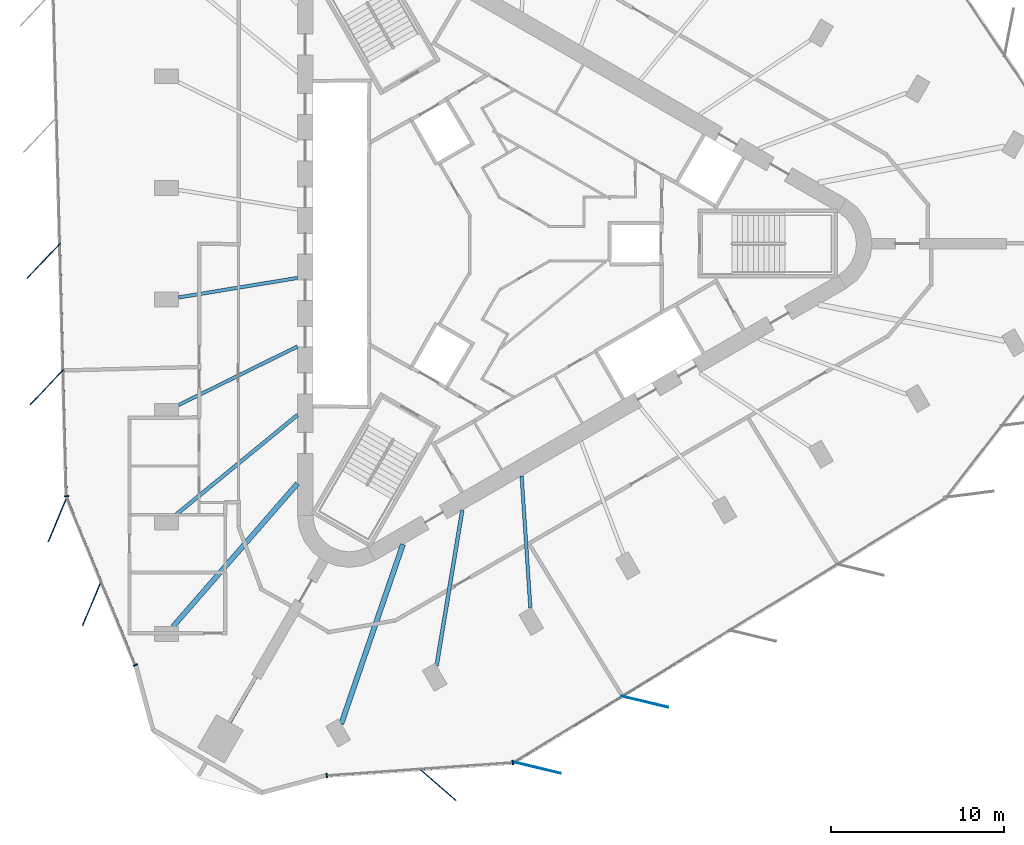
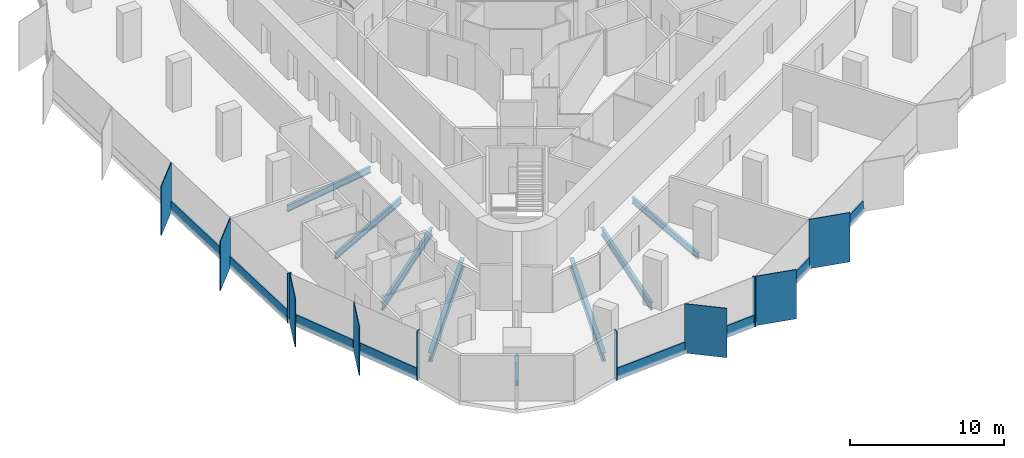
# One storey, part 2 of 12: 19 members, 8 beams, 4 elements without a shape of their own.
"""IFC4 building model written with IfcOpenShell, lengths in metres."""

from ifc_helpers import new_model, si_unit, direction, frame, origin, origin_2d, place, context, subcontext, project, spatial, rectangle, i_section, extrude, material, material_profile, profile_set, type_object, element, aggregate, save


model = new_model("IFC4")

# Units and contexts
model_context = context("Model", 3, precision=1e-05, world=origin(), true_north=direction((0.0, 1.0)))
body_context = subcontext(model_context, "Body", "Model", "MODEL_VIEW")
ifc_project = project(units=[si_unit("LENGTHUNIT", "METRE"), si_unit("AREAUNIT", "SQUARE_METRE"), si_unit("VOLUMEUNIT", "CUBIC_METRE"), si_unit("PLANEANGLEUNIT", "RADIAN"), si_unit("MASSUNIT", "GRAM", prefix="KILO")], contexts=[model_context])

# Site, building, storey
site_placement = place(None, origin())
site = spatial("IfcSite", under=ifc_project, at=site_placement, CompositionType="ELEMENT")
building_placement = place(site_placement, origin())
building = spatial("IfcBuilding", under=site, at=building_placement, Name="Tanit Gate Tower", CompositionType="ELEMENT")
storey_placement = place(building_placement, frame((0.0, 0.0, 349.39990234375)))
storey = spatial("IfcBuildingStorey", under=building, at=storey_placement, Name="L79", CompositionType="ELEMENT", Elevation=349.39990234375)

# Curtain wall, members
ifc_material_1 = material(Name="Aluminium bronze anodised and glass", Category="aluminium")
curtain_wall_type = type_object("IfcCurtainWallType", Name="Curtain wall typical high", PredefinedType="NOTDEFINED", material=ifc_material_1)
curtain_wall_1_placement = place(storey_placement, origin())
curtain_wall_1 = element("IfcCurtainWall", 1, at=curtain_wall_1_placement, inside=storey, type_object=curtain_wall_type, Name="Curtain wall L79 W2", PredefinedType="NOTDEFINED")
ifc_material_2 = material(Name="Aluminium bronze anodised", Category="aluminium")
ifc_material_profile_1 = material_profile(ifc_material_2, rectangle(XDim=2.800048828125, YDim=0.055908203125, at=origin_2d()), Name="56x2800 bronze fin mullion")
ifc_profile_set_1 = profile_set([ifc_material_profile_1], Name="Aluminium bronze anodised")
member_type_1 = type_object("IfcMemberType", Name="FIN MULLION 56x2800 bronze", PredefinedType="MULLION", material=ifc_profile_set_1)
member_1_placement = place(storey_placement, frame((-26.822021484375, -1.00146484375, -0.2998046875), z_axis=(0.0, 0.0, 1.0), x_axis=(0.688538110764, 0.725200158595, 0.0)))
member_1 = element("IfcMember", 2, at=member_1_placement, type_object=member_type_1, Name="Fin mullion L79 W2.3", PredefinedType="MULLION", context=body_context, shape_type="SweptSolid", body=[
    extrude(rectangle(XDim=2.800048828125, YDim=0.055908203125, at=origin_2d()), origin(), (0.0, 0.0, 1.0), 3.89990234375),
])
member_2_placement = place(storey_placement, frame((-26.63232421875, -8.31982421875, -0.2998046875), z_axis=(0.0, 0.0, 1.0), x_axis=(0.688538110764, 0.725200158595, 0.0)))
member_2 = element("IfcMember", 3, at=member_2_placement, type_object=member_type_1, Name="Fin mullion L79 W2.4", PredefinedType="MULLION", context=body_context, shape_type="SweptSolid", body=[
    extrude(rectangle(XDim=2.800048828125, YDim=0.055908203125, at=origin_2d()), origin(), (0.0, 0.0, 1.0), 3.89990234375),
])

curtain_wall_2_placement = place(storey_placement, origin())
curtain_wall_2 = element("IfcCurtainWall", 4, at=curtain_wall_2_placement, inside=storey, type_object=curtain_wall_type, Name="Curtain wall L79 W3", PredefinedType="NOTDEFINED")
member_3_placement = place(storey_placement, frame((-26.0087890625, -15.987548828125, -0.2998046875), z_axis=(0.0, 0.0, 1.0), x_axis=(0.386006838338, 0.9224959191, 0.0)))
member_3 = element("IfcMember", 5, at=member_3_placement, type_object=member_type_1, Name="Fin mullion L79 W3.1", PredefinedType="MULLION", context=body_context, shape_type="SweptSolid", body=[
    extrude(rectangle(XDim=2.800048828125, YDim=0.055908203125, at=origin_2d()), origin(), (0.0, 0.0, 1.0), 3.89990234375),
])
member_4_placement = place(storey_placement, frame((-24.017333984375, -20.844970703125, -0.2998046875), z_axis=(0.0, 0.0, 1.0), x_axis=(0.386006838338, 0.9224959191, 0.0)))
member_4 = element("IfcMember", 6, at=member_4_placement, type_object=member_type_1, Name="Fin mullion L79 W3.2", PredefinedType="MULLION", context=body_context, shape_type="SweptSolid", body=[
    extrude(rectangle(XDim=2.800048828125, YDim=0.055908203125, at=origin_2d()), origin(), (0.0, 0.0, 1.0), 3.89990234375),
])

# Curtain wall, member
curtain_wall_3_placement = place(storey_placement, origin())
curtain_wall_3 = element("IfcCurtainWall", 7, at=curtain_wall_3_placement, inside=storey, type_object=curtain_wall_type, Name="Curtain wall L79 SE1", PredefinedType="NOTDEFINED")
member_5_placement = place(storey_placement, frame((-3.97314453125, -31.3583984375, -0.2998046875), z_axis=(0.0, 0.0, 1.0), x_axis=(-0.754673667978, 0.656100339019, 0.0)))
member_5 = element("IfcMember", 8, at=member_5_placement, type_object=member_type_1, Name="Fin mullion L79 SE1.2", PredefinedType="MULLION", context=body_context, shape_type="SweptSolid", body=[
    extrude(rectangle(XDim=2.800048828125, YDim=0.055908203125, at=origin_2d()), origin(), (0.0, 0.0, 1.0), 3.89990234375),
])

# Curtain wall, members
curtain_wall_4_placement = place(storey_placement, origin())
curtain_wall_4 = element("IfcCurtainWall", 9, at=curtain_wall_4_placement, inside=storey, type_object=curtain_wall_type, Name="Curtain wall L79 SE2", PredefinedType="NOTDEFINED")
member_6_placement = place(storey_placement, frame((1.792236328125, -30.375, -0.2998046875), z_axis=(0.0, 0.0, 1.0), x_axis=(-0.972310815553, 0.233691416098, 0.0)))
member_6 = element("IfcMember", 10, at=member_6_placement, type_object=member_type_1, Name="Fin mullion L79 SE2.1", PredefinedType="MULLION", context=body_context, shape_type="SweptSolid", body=[
    extrude(rectangle(XDim=2.800048828125, YDim=0.055908203125, at=origin_2d()), origin(), (0.0, 0.0, 1.0), 3.89990234375),
])
member_7_placement = place(storey_placement, frame((8.03515625, -26.551513671875, -0.2998046875), z_axis=(0.0, 0.0, 1.0), x_axis=(-0.972310815553, 0.233691416098, 0.0)))
member_7 = element("IfcMember", 11, at=member_7_placement, type_object=member_type_1, Name="Fin mullion L79 SE2.2", PredefinedType="MULLION", context=body_context, shape_type="SweptSolid", body=[
    extrude(rectangle(XDim=2.800048828125, YDim=0.055908203125, at=origin_2d()), origin(), (0.0, 0.0, 1.0), 3.89990234375),
])

# Member
ifc_material_3 = material(Name="Aluminium bronze anodised", Category="aluminium")
ifc_material_profile_2 = material_profile(ifc_material_3, rectangle(XDim=0.280029296875, YDim=0.080078125, at=origin_2d()), Name="80x280 bronze mullion")
ifc_profile_set_2 = profile_set([ifc_material_profile_2], Name="Aluminium bronze anodised")
member_type_2 = type_object("IfcMemberType", Name="Mullion 80x280 typical high", PredefinedType="MULLION", material=ifc_profile_set_2)
member_8_placement = place(storey_placement, frame((-25.4921875, -14.637451171875, -0.2998046875), z_axis=(0.0, 0.0, 1.0), x_axis=(0.999663917086, 0.025923982634, 0.0)))
member_8 = element("IfcMember", 12, at=member_8_placement, type_object=member_type_2, Name="Mullion L79 W2.5", PredefinedType="MULLION", context=body_context, shape_type="SweptSolid", body=[
    extrude(rectangle(XDim=0.280029296875, YDim=0.080078125, at=origin_2d()), origin(), (0.0, 0.0, 1.0), 3.89990234375),
])

member_9_placement = place(storey_placement, frame((-21.492919921875, -24.4287109375, -0.2998046875), z_axis=(0.0, 0.0, 1.0), x_axis=(0.925251172986, 0.37935506704, 0.0)))
member_9 = element("IfcMember", 13, at=member_9_placement, type_object=member_type_2, Name="Mullion L79 W3.3", PredefinedType="MULLION", context=body_context, shape_type="SweptSolid", body=[
    extrude(rectangle(XDim=0.280029296875, YDim=0.080078125, at=origin_2d()), origin(), (0.0, 0.0, 1.0), 3.89990234375),
])

member_10_placement = place(storey_placement, frame((-10.405517578125, -30.829345703125, -0.2998046875), z_axis=(0.0, 0.0, 1.0), x_axis=(-0.069701869351, 0.997567867069, 0.0)))
member_10 = element("IfcMember", 14, at=member_10_placement, type_object=member_type_2, Name="Mullion L79 SE1.1", PredefinedType="MULLION", context=body_context, shape_type="SweptSolid", body=[
    extrude(rectangle(XDim=0.280029296875, YDim=0.080078125, at=origin_2d()), origin(), (0.0, 0.0, 1.0), 3.89990234375),
])

member_11_placement = place(storey_placement, frame((0.376220703125, -30.076171875, -0.2998046875), z_axis=(0.0, 0.0, 1.0), x_axis=(-0.069701869351, 0.997567867069, 0.0)))
member_11 = element("IfcMember", 15, at=member_11_placement, type_object=member_type_2, Name="Mullion L79 SE1.3", PredefinedType="MULLION", context=body_context, shape_type="SweptSolid", body=[
    extrude(rectangle(XDim=0.280029296875, YDim=0.080078125, at=origin_2d()), origin(), (0.0, 0.0, 1.0), 3.89990234375),
])

# Beams
ifc_material_4 = material(Name="Steel S355", Category="steel")
ifc_material_profile_3 = material_profile(ifc_material_4, i_section(OverallWidth=0.300048828125, OverallDepth=0.68994140625, WebThickness=0.014404296875, FlangeThickness=0.027099609375, FilletRadius=0.027099609375, at=origin_2d()), Name="HEA 700")
ifc_profile_set_3 = profile_set([ifc_material_profile_3], Name="Steel S355")
beam_type_1 = type_object("IfcBeamType", Name="RADIAL GIRDER HEA 700 S355", PredefinedType="BEAM", material=ifc_profile_set_3)
for number, where, z_axis, x_axis, name in (
    (16, (-19.322021484375, -22.198486328125, -0.64501953125), (0.656551846621, 0.754280897742, 0.0), (-0.754280897742, 0.656551846621, 0.0), "RADIAL GIRDER"),
    (17, (-9.563720703125, -27.83251953125, -0.64501953125), (0.324979251092, 0.945721146195, 0.0), (-0.945721146195, 0.324979251092, 0.0), "RADIAL GIRDER"),
):
    element("IfcBeam", number, at=place(storey_placement, frame(where, z_axis=z_axis, x_axis=x_axis)), inside=storey, type_object=beam_type_1, Name=name, PredefinedType="BEAM", context=body_context, shape_type="SweptSolid", body=[
        extrude(i_section(OverallWidth=0.300048828125, OverallDepth=0.68994140625, WebThickness=0.014404296875, FlangeThickness=0.027099609375, FilletRadius=0.027099609375, at=origin_2d()), origin(), (0.0, 0.0, 1.0), 10.996826171875),
    ])
ifc_material_5 = material(Name="Steel S355", Category="steel")
ifc_material_profile_4 = material_profile(ifc_material_5, i_section(OverallWidth=0.179931640625, OverallDepth=0.39990234375, WebThickness=0.008544921875, FlangeThickness=0.013427734375, FilletRadius=0.02099609375, at=origin_2d()), Name="IPE 400")
ifc_profile_set_4 = profile_set([ifc_material_profile_4], Name="Steel S355")
beam_type_2 = type_object("IfcBeamType", Name="RADIAL GIRDER IPE 400 S355", PredefinedType="BEAM", material=ifc_profile_set_4)
beam_1_placement = place(storey_placement, frame((-16.019775390625, -27.746826171875, -0.5), z_axis=(0.500014901547, 0.866016800201, 0.0), x_axis=(-0.866016800201, 0.500014901547, 0.0)))
element("IfcBeam", 18, at=beam_1_placement, inside=storey, type_object=beam_type_2, Name="RADIAL GIRDER", PredefinedType="BEAM", context=body_context, shape_type="SweptSolid", body=[
    extrude(i_section(OverallWidth=0.179931640625, OverallDepth=0.39990234375, WebThickness=0.008544921875, FlangeThickness=0.013427734375, FilletRadius=0.02099609375, at=origin_2d()), origin(), (0.0, 0.0, 1.0), 3.03515625),
])
ifc_material_6 = material(Name="Steel S355", Category="steel")
ifc_material_profile_5 = material_profile(ifc_material_6, i_section(OverallWidth=0.199951171875, OverallDepth=0.5, WebThickness=0.01025390625, FlangeThickness=0.01611328125, FilletRadius=0.02099609375, at=origin_2d()), Name="IPE 500")
ifc_profile_set_5 = profile_set([ifc_material_profile_5], Name="Steel S355")
beam_type_3 = type_object("IfcBeamType", Name="RADIAL GIRDER IPE 500 S355", PredefinedType="BEAM", material=ifc_profile_set_5)
beam_2_placement = place(storey_placement, frame((-18.99169921875, -3.116943359375, -0.5498046875), z_axis=(0.986795432202, 0.161971525229, 0.0), x_axis=(-0.161971525229, 0.986795432202, 0.0)))
element("IfcBeam", 19, at=beam_2_placement, inside=storey, type_object=beam_type_3, Name="RADIAL GIRDER", PredefinedType="BEAM", context=body_context, shape_type="SweptSolid", body=[
    extrude(i_section(OverallWidth=0.199951171875, OverallDepth=0.5, WebThickness=0.01025390625, FlangeThickness=0.01611328125, FilletRadius=0.02099609375, at=origin_2d()), origin(), (0.0, 0.0, 1.0), 6.98193359375),
])
beam_3_placement = place(storey_placement, frame((-18.99169921875, -9.35107421875, -0.5498046875), z_axis=(0.897144509959, 0.441737171009, 0.0), x_axis=(-0.441737171009, 0.897144509959, 0.0)))
element("IfcBeam", 20, at=beam_3_placement, inside=storey, type_object=beam_type_3, Name="RADIAL GIRDER", PredefinedType="BEAM", context=body_context, shape_type="SweptSolid", body=[
    extrude(i_section(OverallWidth=0.199951171875, OverallDepth=0.5, WebThickness=0.01025390625, FlangeThickness=0.01611328125, FilletRadius=0.02099609375, at=origin_2d()), origin(), (0.0, 0.0, 1.0), 7.679443359375),
])
beam_4_placement = place(storey_placement, frame((1.3974609375, -21.122802734375, -0.5498046875), z_axis=(-0.066029480547, 0.997817672573, 0.0), x_axis=(-0.997817672573, -0.066029480547, 0.0)))
element("IfcBeam", 21, at=beam_4_placement, inside=storey, type_object=beam_type_3, Name="RADIAL GIRDER", PredefinedType="BEAM", context=body_context, shape_type="SweptSolid", body=[
    extrude(i_section(OverallWidth=0.199951171875, OverallDepth=0.5, WebThickness=0.01025390625, FlangeThickness=0.01611328125, FilletRadius=0.02099609375, at=origin_2d()), origin(), (0.0, 0.0, 1.0), 7.6796875),
])
ifc_material_7 = material(Name="Steel S355", Category="steel")
ifc_material_profile_6 = material_profile(ifc_material_7, i_section(OverallWidth=0.219970703125, OverallDepth=0.60009765625, WebThickness=0.011962890625, FlangeThickness=0.01904296875, FilletRadius=0.02392578125, at=origin_2d()), Name="IPE 600")
ifc_profile_set_6 = profile_set([ifc_material_profile_6], Name="Steel S355")
beam_type_4 = type_object("IfcBeamType", Name="RADIAL GIRDER IPE 600 S355", PredefinedType="BEAM", material=ifc_profile_set_6)
for number, where, z_axis, x_axis, name in (
    (22, (-19.173828125, -15.734619140625, -0.599853515625), (0.773033772719, 0.634364868381, 0.0), (-0.634364868381, 0.773033772719, 0.0), "RADIAL GIRDER"),
    (23, (-4.039794921875, -24.472412109375, -0.599853515625), (0.162871136194, 0.986647349865, 0.0), (-0.986647349865, 0.162871136194, 0.0), "RADIAL GIRDER"),
):
    element("IfcBeam", number, at=place(storey_placement, frame(where, z_axis=z_axis, x_axis=x_axis)), inside=storey, type_object=beam_type_4, Name=name, PredefinedType="BEAM", context=body_context, shape_type="SweptSolid", body=[
        extrude(i_section(OverallWidth=0.219970703125, OverallDepth=0.60009765625, WebThickness=0.011962890625, FlangeThickness=0.01904296875, FilletRadius=0.02392578125, at=origin_2d()), origin(), (0.0, 0.0, 1.0), 9.148193359375),
    ])

# Member
ifc_material_8 = material(Name="Aluminium bronze anodised", Category="aluminium")
ifc_material_profile_7 = material_profile(ifc_material_8, rectangle(XDim=0.1201171875, YDim=0.89990234375, at=origin_2d()), Name="120x900 bronze transom")
ifc_profile_set_7 = profile_set([ifc_material_profile_7], Name="Aluminium bronze anodised")
member_type_3 = type_object("IfcMemberType", Name="Transom 120x900 typical high", PredefinedType="USERDEFINED", material=ifc_profile_set_7)
member_12_placement = place(storey_placement, frame((-25.87060546875, -0.04052734375, 0.150146484375), z_axis=(0.025928074156, -0.999663810974, 0.0), x_axis=(0.999663810974, 0.025928074156, 0.0)))
member_12 = element("IfcMember", 24, at=member_12_placement, type_object=member_type_3, Name="Transom L79 W2.3", ObjectType="TRANSOM", PredefinedType="USERDEFINED", context=body_context, shape_type="SweptSolid", body=[
    extrude(rectangle(XDim=0.1201171875, YDim=0.89990234375, at=origin_2d()), origin(), (0.0, 0.0, 1.0), 7.240966796875),
])

member_13_placement = place(storey_placement, frame((-25.680908203125, -7.35888671875, 0.150146484375), z_axis=(0.025928074156, -0.999663810974, 0.0), x_axis=(0.999663810974, 0.025928074156, 0.0)))
member_13 = element("IfcMember", 25, at=member_13_placement, type_object=member_type_3, Name="Transom L79 W2.4", ObjectType="TRANSOM", PredefinedType="USERDEFINED", context=body_context, shape_type="SweptSolid", body=[
    extrude(rectangle(XDim=0.1201171875, YDim=0.89990234375, at=origin_2d()), origin(), (0.0, 0.0, 1.0), 7.240966796875),
])

aggregate(curtain_wall_1, [member_1, member_2, member_8, member_12, member_13])

member_14_placement = place(storey_placement, frame((-25.460693359375, -14.75146484375, 0.150146484375), z_axis=(0.379324171143, -0.92526383977, 0.0), x_axis=(0.92526383977, 0.379324171143, 0.0)))
member_14 = element("IfcMember", 26, at=member_14_placement, type_object=member_type_3, Name="Transom L79 W3.1", ObjectType="TRANSOM", PredefinedType="USERDEFINED", context=body_context, shape_type="SweptSolid", body=[
    extrude(rectangle(XDim=0.1201171875, YDim=0.89990234375, at=origin_2d()), origin(), (0.0, 0.0, 1.0), 5.169677734375),
])

member_15_placement = place(storey_placement, frame((-23.46923828125, -19.608642578125, 0.150146484375), z_axis=(0.379364601384, -0.925247263826, 0.0), x_axis=(0.925247263826, 0.379364601384, 0.0)))
member_15 = element("IfcMember", 27, at=member_15_placement, type_object=member_type_3, Name="Transom L79 W3.2", ObjectType="TRANSOM", PredefinedType="USERDEFINED", context=body_context, shape_type="SweptSolid", body=[
    extrude(rectangle(XDim=0.1201171875, YDim=0.89990234375, at=origin_2d()), origin(), (0.0, 0.0, 1.0), 5.169677734375),
])

aggregate(curtain_wall_2, [member_3, member_4, member_9, member_14, member_15])

member_16_placement = place(storey_placement, frame((-10.365478515625, -30.82666015625, 0.150146484375), z_axis=(0.997567616481, 0.069705455664, 0.0), x_axis=(-0.069705455664, 0.997567616481, 0.0)))
member_16 = element("IfcMember", 28, at=member_16_placement, type_object=member_type_3, Name="Transom L79 SE1.1", ObjectType="TRANSOM", PredefinedType="USERDEFINED", context=body_context, shape_type="SweptSolid", body=[
    extrude(rectangle(XDim=0.1201171875, YDim=0.89990234375, at=origin_2d()), origin(), (0.0, 0.0, 1.0), 5.32373046875),
])

member_17_placement = place(storey_placement, frame((-4.974853515625, -30.449951171875, 0.150146484375), z_axis=(0.997567839287, 0.069702266972, 0.0), x_axis=(-0.069702266972, 0.997567839287, 0.0)))
member_17 = element("IfcMember", 29, at=member_17_placement, type_object=member_type_3, Name="Transom L79 SE1.2", ObjectType="TRANSOM", PredefinedType="USERDEFINED", context=body_context, shape_type="SweptSolid", body=[
    extrude(rectangle(XDim=0.1201171875, YDim=0.89990234375, at=origin_2d()), origin(), (0.0, 0.0, 1.0), 5.323974609375),
])

aggregate(curtain_wall_3, [member_10, member_5, member_11, member_16, member_17])

member_18_placement = place(storey_placement, frame((0.484375, -30.031494140625, 0.150146484375), z_axis=(0.852774688178, 0.522278978328, 0.0), x_axis=(-0.522278978328, 0.852774688178, 0.0)))
member_18 = element("IfcMember", 30, at=member_18_placement, type_object=member_type_3, Name="Transom L79 SE2.1", ObjectType="TRANSOM", PredefinedType="USERDEFINED", context=body_context, shape_type="SweptSolid", body=[
    extrude(rectangle(XDim=0.1201171875, YDim=0.89990234375, at=origin_2d()), origin(), (0.0, 0.0, 1.0), 7.24072265625),
])

member_19_placement = place(storey_placement, frame((6.727294921875, -26.2080078125, 0.150146484375), z_axis=(0.852774688178, 0.522278978328, 0.0), x_axis=(-0.522278978328, 0.852774688178, 0.0)))
member_19 = element("IfcMember", 31, at=member_19_placement, type_object=member_type_3, Name="Transom L79 SE2.2", ObjectType="TRANSOM", PredefinedType="USERDEFINED", context=body_context, shape_type="SweptSolid", body=[
    extrude(rectangle(XDim=0.1201171875, YDim=0.89990234375, at=origin_2d()), origin(), (0.0, 0.0, 1.0), 7.24072265625),
])

aggregate(curtain_wall_4, [member_6, member_7, member_18, member_19])

save(model, "model.ifc")
